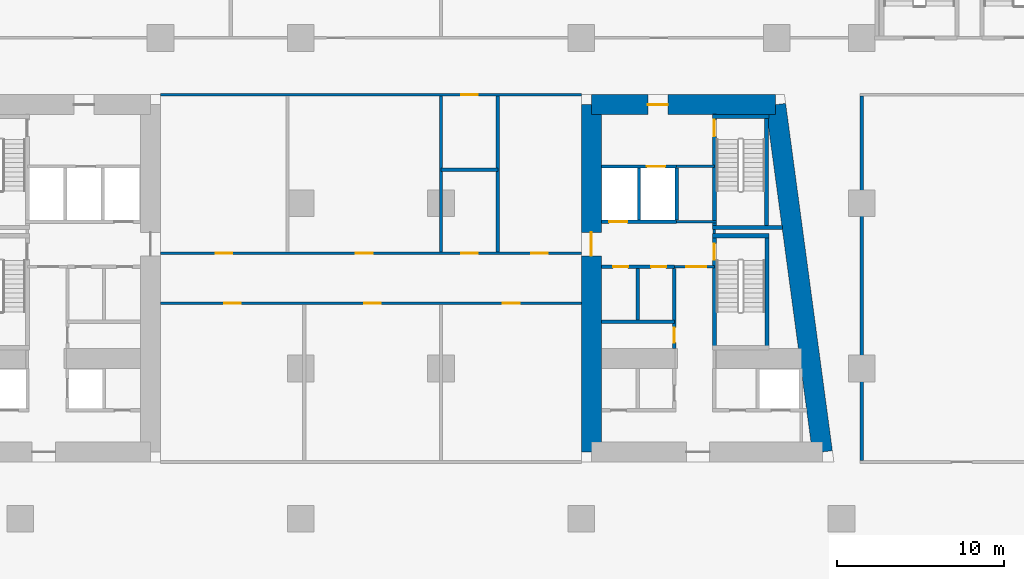
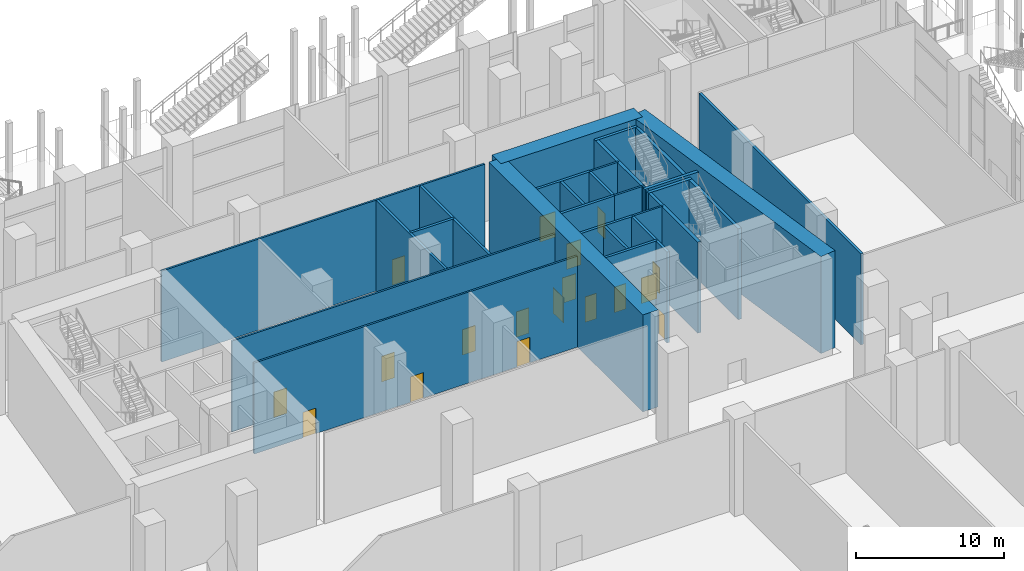
# One storey, part 29 of 52: 29 walls, 18 doors, 18 openings.
"""IFC4 building model written with IfcOpenShell, lengths in metres."""

from ifc_helpers import new_model, si_unit, direction, frame, frame_2d, origin, place, context, subcontext, project, spatial, rectangle, extrude, material, layer, layer_set, type_object, element, fill, save


model = new_model("IFC4")

# Units and contexts
model_context = context("Model", 3, precision=1e-05, world=origin(), true_north=direction((0.0, 1.0)))
body_context = subcontext(model_context, "Body", "Model", "MODEL_VIEW")
ifc_project = project(units=[si_unit("LENGTHUNIT", "METRE"), si_unit("AREAUNIT", "SQUARE_METRE"), si_unit("VOLUMEUNIT", "CUBIC_METRE"), si_unit("PLANEANGLEUNIT", "RADIAN"), si_unit("MASSUNIT", "GRAM", prefix="KILO")], contexts=[model_context])

# Site, building, storey
site_placement = place(None, origin())
site = spatial("IfcSite", under=ifc_project, at=site_placement, CompositionType="ELEMENT")
building_placement = place(site_placement, origin())
building = spatial("IfcBuilding", under=site, at=building_placement, Name="Candeia Pilgrim Tower and Theatre", CompositionType="ELEMENT")
storey_placement = place(building_placement, frame((0.0, 0.0, 9.0)))
storey = spatial("IfcBuildingStorey", under=building, at=storey_placement, Name="L01", CompositionType="ELEMENT", Elevation=9.0)

# Wall, opening, door
ifc_material_1 = material(Name="Concrete C80/95", Category="concrete")
ifc_layer_1 = layer(ifc_material_1, 1.199951171875)
ifc_layer_set_1 = layer_set([ifc_layer_1], Name="Core wall 1200 C80/95")
wall_type_1 = type_object("IfcWallType", Name="Core wall 1200 C80/95", PredefinedType="SHEAR", material=ifc_layer_set_1)
wall_1_placement = place(storey_placement, frame((126.60009765625, 131.800048828125, 0.0), z_axis=(0.0, 0.0, 1.0), x_axis=(1.0, 0.0, 0.0)))
wall_1 = element("IfcWall", 1, at=wall_1_placement, inside=storey, type_object=wall_type_1, Name="Core wall E1", PredefinedType="SHEAR", context=body_context, shape_type="SweptSolid", body=[
    extrude(rectangle(XDim=11.04443359375, YDim=1.199951171875, at=frame_2d((5.522216796875, 0.0))), origin(), (0.0, 0.0, 1.0), 8.0),
])
opening_1_placement = place(wall_1_placement, frame((3.386474609375, 0.0, 0.0)))
opening_1 = element("IfcOpeningElement", 2, at=opening_1_placement, cuts=wall_1, Name="Opening L01-D052", PredefinedType="OPENING", context=body_context, shape_type="SweptSolid", body=[
    extrude(rectangle(XDim=1.199951171875, YDim=2.10009765625, at=frame_2d((0.60009765625, 1.050048828125))), frame((0.0, 0.60986328125, 0.0), z_axis=(0.0, -1.0, 0.0), x_axis=(1.0, 0.0, 0.0)), (0.0, 0.0, 1.0), 1.219970703125),
])
ifc_material_2 = material(Name="Steel fire door set", Category="steel")
door_type_1 = type_object("IfcDoorType", Name="D-1200-FD60", OperationType="NOTDEFINED", PredefinedType="DOOR", material=ifc_material_2)
door_1_placement = place(opening_1_placement, origin())
door_1 = element("IfcDoor", 3, at=door_1_placement, inside=storey, type_object=door_type_1, Name="Door L01-D052", OperationType="SINGLE_SWING_LEFT", OverallHeight=2.10009765625, OverallWidth=1.199951171875, PredefinedType="DOOR", context=body_context, shape_type="SweptSolid", body=[
    extrude(rectangle(XDim=1.199951171875, YDim=2.10009765625, at=frame_2d((0.60009765625, 1.050048828125))), frame((0.0, 0.02490234375, 0.0), z_axis=(0.0, -1.0, 0.0), x_axis=(1.0, 0.0, 0.0)), (0.0, 0.0, 1.0), 0.050048828125),
])
fill(opening_1, door_1)

# Wall
wall_2_placement = place(storey_placement, frame((137.64453125, 131.800048828125, 0.0), z_axis=(0.0, 0.0, 1.0), x_axis=(0.133413989637, -0.99106039542, 0.0)))
element("IfcWall", 4, at=wall_2_placement, inside=storey, type_object=wall_type_1, Name="Core wall E2", PredefinedType="SHEAR", context=body_context, shape_type="SweptSolid", body=[
    extrude(rectangle(XDim=20.987548828125, YDim=1.199951171875, at=frame_2d((10.49365234375, 0.0))), origin(), (0.0, 0.0, 1.0), 8.0),
])

# Wall, opening, door
wall_3_placement = place(storey_placement, frame((126.60009765625, 111.0, 0.0), z_axis=(0.0, 0.0, 1.0), x_axis=(0.0, 1.0, 0.0)))
wall_3 = element("IfcWall", 5, at=wall_3_placement, inside=storey, type_object=wall_type_1, Name="Core wall E4", PredefinedType="SHEAR", context=body_context, shape_type="SweptSolid", body=[
    extrude(rectangle(XDim=20.800048828125, YDim=1.199951171875, at=frame_2d((10.39990234375, 0.0))), origin(), (0.0, 0.0, 1.0), 8.0),
])
opening_2_placement = place(wall_3_placement, frame((11.75, 0.0, 0.0)))
opening_2 = element("IfcOpeningElement", 6, at=opening_2_placement, cuts=wall_3, Name="Opening L01-D053", PredefinedType="OPENING", context=body_context, shape_type="SweptSolid", body=[
    extrude(rectangle(XDim=1.39990234375, YDim=2.10009765625, at=frame_2d((0.699951171875, 1.050048828125))), frame((0.0, 0.60986328125, 0.0), z_axis=(0.0, -1.0, 0.0), x_axis=(1.0, 0.0, 0.0)), (0.0, 0.0, 1.0), 1.219970703125),
])
door_type_2 = type_object("IfcDoorType", Name="D-1400-FD60", OperationType="NOTDEFINED", PredefinedType="DOOR", material=ifc_material_2)
door_2_placement = place(opening_2_placement, origin())
door_2 = element("IfcDoor", 7, at=door_2_placement, inside=storey, type_object=door_type_2, Name="Door L01-D053", OperationType="SINGLE_SWING_RIGHT", OverallHeight=2.10009765625, OverallWidth=1.39990234375, PredefinedType="DOOR", context=body_context, shape_type="SweptSolid", body=[
    extrude(rectangle(XDim=1.39990234375, YDim=2.10009765625, at=frame_2d((0.699951171875, 1.050048828125))), frame((0.0, 0.02490234375, 0.0), z_axis=(0.0, -1.0, 0.0), x_axis=(1.0, 0.0, 0.0)), (0.0, 0.0, 1.0), 0.050048828125),
])
fill(opening_2, door_2)

ifc_material_3 = material(Name="Gypsum board partition on steel studs", Category="steel")
ifc_layer_2 = layer(ifc_material_3, 0.14990234375)
ifc_layer_set_2 = layer_set([ifc_layer_2], Name="PW-150 lobby wall")
wall_type_2 = type_object("IfcWallType", Name="PW-150 lobby wall", PredefinedType="PARTITIONING", material=ifc_layer_set_2)
wall_4_placement = place(storey_placement, frame((131.572998046875, 122.10009765625, 0.0), z_axis=(0.0, 0.0, 1.0), x_axis=(1.0, 0.0, 0.0)))
wall_4 = element("IfcWall", 8, at=wall_4_placement, inside=storey, type_object=wall_type_2, Name="Lobby wall L01-017", PredefinedType="PARTITIONING", context=body_context, shape_type="SweptSolid", body=[
    extrude(rectangle(XDim=2.39990234375, YDim=0.14990234375, at=frame_2d((1.199951171875, 0.0))), origin(), (0.0, 0.0, 1.0), 7.5),
])
opening_3_placement = place(wall_4_placement, frame((0.72509765625, 0.0, 0.0)))
opening_3 = element("IfcOpeningElement", 9, at=opening_3_placement, cuts=wall_4, Name="Opening L01-D039", PredefinedType="OPENING", context=body_context, shape_type="SweptSolid", body=[
    extrude(rectangle(XDim=1.199951171875, YDim=2.10009765625, at=frame_2d((0.60009765625, 1.050048828125))), frame((0.0, 0.0849609375, 0.0), z_axis=(0.0, -1.0, 0.0), x_axis=(1.0, 0.0, 0.0)), (0.0, 0.0, 1.0), 0.169921875),
])
door_3_placement = place(opening_3_placement, origin())
door_3 = element("IfcDoor", 10, at=door_3_placement, inside=storey, type_object=door_type_1, Name="Door L01-D039", OperationType="SINGLE_SWING_LEFT", OverallHeight=2.10009765625, OverallWidth=1.199951171875, PredefinedType="DOOR", context=body_context, shape_type="SweptSolid", body=[
    extrude(rectangle(XDim=1.199951171875, YDim=2.10009765625, at=frame_2d((0.60009765625, 1.050048828125))), frame((0.0, 0.02490234375, 0.0), z_axis=(0.0, -1.0, 0.0), x_axis=(1.0, 0.0, 0.0)), (0.0, 0.0, 1.0), 0.050048828125),
])
fill(opening_3, door_3)

# Walls
wall_5_placement = place(storey_placement, frame((131.71533203125, 124.800048828125, 0.0), z_axis=(0.0, 0.0, 1.0), x_axis=(1.0, 0.0, 0.0)))
element("IfcWall", 11, at=wall_5_placement, inside=storey, type_object=wall_type_2, Name="Lobby wall L01-025", PredefinedType="PARTITIONING", context=body_context, shape_type="SweptSolid", body=[
    extrude(rectangle(XDim=2.382568359375, YDim=0.14990234375, at=frame_2d((1.19140625, 0.0))), origin(), (0.0, 0.0, 1.0), 7.5),
])
wall_6_placement = place(storey_placement, frame((131.71533203125, 128.10009765625, 0.0), z_axis=(0.0, 0.0, 1.0), x_axis=(1.0, 0.0, 0.0)))
element("IfcWall", 12, at=wall_6_placement, inside=storey, type_object=wall_type_2, Name="Lobby wall L01-029", PredefinedType="PARTITIONING", context=body_context, shape_type="SweptSolid", body=[
    extrude(rectangle(XDim=2.257568359375, YDim=0.14990234375, at=frame_2d((1.12890625, 0.0))), origin(), (0.0, 0.0, 1.0), 7.5),
])
wall_7_placement = place(storey_placement, frame((133.972900390625, 124.074951171875, 0.0), z_axis=(0.0, 0.0, 1.0), x_axis=(0.0, 1.0, 0.0)))
element("IfcWall", 13, at=wall_7_placement, inside=storey, type_object=wall_type_2, Name="Lobby wall L01-086", PredefinedType="PARTITIONING", context=body_context, shape_type="SweptSolid", body=[
    extrude(rectangle(XDim=0.25, YDim=0.14990234375, at=frame_2d((0.125, 0.0))), origin(), (0.0, 0.0, 1.0), 7.5),
])

# Wall, openings, doors
ifc_layer_3 = layer(ifc_material_3, 0.14990234375)
ifc_layer_set_3 = layer_set([ifc_layer_3], Name="PW-150 unit wall")
wall_type_3 = type_object("IfcWallType", Name="PW-150 unit wall", PredefinedType="PARTITIONING", material=ifc_layer_set_3)
wall_8_placement = place(storey_placement, frame((100.800048828125, 119.89990234375, 0.0), z_axis=(0.0, 0.0, 1.0), x_axis=(1.0, 0.0, 0.0)))
wall_8 = element("IfcWall", 14, at=wall_8_placement, inside=storey, type_object=wall_type_3, Name="Unit wall L01-013", PredefinedType="PARTITIONING", context=body_context, shape_type="SweptSolid", body=[
    extrude(rectangle(XDim=25.199951171875, YDim=0.14990234375, at=frame_2d((12.60009765625, 0.0))), origin(), (0.0, 0.0, 1.0), 7.5),
])
opening_4_placement = place(wall_8_placement, frame((3.800048828125, 0.0, 0.0)))
opening_4 = element("IfcOpeningElement", 15, at=opening_4_placement, cuts=wall_8, Name="Opening L01-D012", PredefinedType="OPENING", context=body_context, shape_type="SweptSolid", body=[
    extrude(rectangle(XDim=1.0, YDim=2.10009765625, at=frame_2d((0.5, 1.050048828125))), frame((0.0, 0.0849609375, 0.0), z_axis=(0.0, -1.0, 0.0), x_axis=(1.0, 0.0, 0.0)), (0.0, 0.0, 1.0), 0.169921875),
])
opening_5_placement = place(wall_8_placement, frame((12.199951171875, 0.0, 0.0)))
opening_5 = element("IfcOpeningElement", 16, at=opening_5_placement, cuts=wall_8, Name="Opening L01-D013", PredefinedType="OPENING", context=body_context, shape_type="SweptSolid", body=[
    extrude(rectangle(XDim=1.0, YDim=2.10009765625, at=frame_2d((0.5, 1.050048828125))), frame((0.0, 0.0849609375, 0.0), z_axis=(0.0, -1.0, 0.0), x_axis=(1.0, 0.0, 0.0)), (0.0, 0.0, 1.0), 0.169921875),
])
opening_6_placement = place(wall_8_placement, frame((20.5, 0.0, 0.0)))
opening_6 = element("IfcOpeningElement", 17, at=opening_6_placement, cuts=wall_8, Name="Opening L01-D014", PredefinedType="OPENING", context=body_context, shape_type="SweptSolid", body=[
    extrude(rectangle(XDim=1.0, YDim=2.10009765625, at=frame_2d((0.5, 1.050048828125))), frame((0.0, 0.0849609375, 0.0), z_axis=(0.0, -1.0, 0.0), x_axis=(1.0, 0.0, 0.0)), (0.0, 0.0, 1.0), 0.169921875),
])
door_type_3 = type_object("IfcDoorType", Name="D-1000-FD30S", OperationType="NOTDEFINED", PredefinedType="DOOR", material=ifc_material_2)
door_4_placement = place(opening_4_placement, origin())
door_4 = element("IfcDoor", 18, at=door_4_placement, inside=storey, type_object=door_type_3, Name="Door L01-D012", OperationType="SINGLE_SWING_LEFT", OverallHeight=2.10009765625, OverallWidth=1.0, PredefinedType="DOOR", context=body_context, shape_type="SweptSolid", body=[
    extrude(rectangle(XDim=1.0, YDim=2.10009765625, at=frame_2d((0.5, 1.050048828125))), frame((0.0, 0.02490234375, 0.0), z_axis=(0.0, -1.0, 0.0), x_axis=(1.0, 0.0, 0.0)), (0.0, 0.0, 1.0), 0.050048828125),
])
fill(opening_4, door_4)
door_5_placement = place(opening_5_placement, origin())
door_5 = element("IfcDoor", 19, at=door_5_placement, inside=storey, type_object=door_type_3, Name="Door L01-D013", OperationType="SINGLE_SWING_RIGHT", OverallHeight=2.10009765625, OverallWidth=1.0, PredefinedType="DOOR", context=body_context, shape_type="SweptSolid", body=[
    extrude(rectangle(XDim=1.0, YDim=2.10009765625, at=frame_2d((0.5, 1.050048828125))), frame((0.0, 0.02490234375, 0.0), z_axis=(0.0, -1.0, 0.0), x_axis=(1.0, 0.0, 0.0)), (0.0, 0.0, 1.0), 0.050048828125),
])
fill(opening_5, door_5)
door_6_placement = place(opening_6_placement, origin())
door_6 = element("IfcDoor", 20, at=door_6_placement, inside=storey, type_object=door_type_3, Name="Door L01-D014", OperationType="SINGLE_SWING_LEFT", OverallHeight=2.10009765625, OverallWidth=1.0, PredefinedType="DOOR", context=body_context, shape_type="SweptSolid", body=[
    extrude(rectangle(XDim=1.0, YDim=2.10009765625, at=frame_2d((0.5, 1.050048828125))), frame((0.0, 0.02490234375, 0.0), z_axis=(0.0, -1.0, 0.0), x_axis=(1.0, 0.0, 0.0)), (0.0, 0.0, 1.0), 0.050048828125),
])
fill(opening_6, door_6)

wall_9_placement = place(storey_placement, frame((100.800048828125, 122.89990234375, 0.0), z_axis=(0.0, 0.0, 1.0), x_axis=(1.0, 0.0, 0.0)))
wall_9 = element("IfcWall", 21, at=wall_9_placement, inside=storey, type_object=wall_type_3, Name="Unit wall L01-018", PredefinedType="PARTITIONING", context=body_context, shape_type="SweptSolid", body=[
    extrude(rectangle(XDim=25.199951171875, YDim=0.14990234375, at=frame_2d((12.60009765625, 0.0))), origin(), (0.0, 0.0, 1.0), 7.5),
])
opening_7_placement = place(wall_9_placement, frame((3.300048828125, 0.0, 0.0)))
opening_7 = element("IfcOpeningElement", 22, at=opening_7_placement, cuts=wall_9, Name="Opening L01-D015", PredefinedType="OPENING", context=body_context, shape_type="SweptSolid", body=[
    extrude(rectangle(XDim=1.0, YDim=2.10009765625, at=frame_2d((0.5, 1.050048828125))), frame((0.0, 0.0849609375, 0.0), z_axis=(0.0, -1.0, 0.0), x_axis=(1.0, 0.0, 0.0)), (0.0, 0.0, 1.0), 0.169921875),
])
opening_8_placement = place(wall_9_placement, frame((11.699951171875, 0.0, 0.0)))
opening_8 = element("IfcOpeningElement", 23, at=opening_8_placement, cuts=wall_9, Name="Opening L01-D016", PredefinedType="OPENING", context=body_context, shape_type="SweptSolid", body=[
    extrude(rectangle(XDim=1.0, YDim=2.10009765625, at=frame_2d((0.5, 1.050048828125))), frame((0.0, 0.0849609375, 0.0), z_axis=(0.0, -1.0, 0.0), x_axis=(1.0, 0.0, 0.0)), (0.0, 0.0, 1.0), 0.169921875),
])
opening_9_placement = place(wall_9_placement, frame((18.0, 0.0, 0.0)))
opening_9 = element("IfcOpeningElement", 24, at=opening_9_placement, cuts=wall_9, Name="Opening L01-D017", PredefinedType="OPENING", context=body_context, shape_type="SweptSolid", body=[
    extrude(rectangle(XDim=1.0, YDim=2.10009765625, at=frame_2d((0.5, 1.050048828125))), frame((0.0, 0.0849609375, 0.0), z_axis=(0.0, -1.0, 0.0), x_axis=(1.0, 0.0, 0.0)), (0.0, 0.0, 1.0), 0.169921875),
])
opening_10_placement = place(wall_9_placement, frame((22.199951171875, 0.0, 0.0)))
opening_10 = element("IfcOpeningElement", 25, at=opening_10_placement, cuts=wall_9, Name="Opening L01-D018", PredefinedType="OPENING", context=body_context, shape_type="SweptSolid", body=[
    extrude(rectangle(XDim=1.0, YDim=2.10009765625, at=frame_2d((0.5, 1.050048828125))), frame((0.0, 0.0849609375, 0.0), z_axis=(0.0, -1.0, 0.0), x_axis=(1.0, 0.0, 0.0)), (0.0, 0.0, 1.0), 0.169921875),
])
door_7_placement = place(opening_7_placement, origin())
door_7 = element("IfcDoor", 26, at=door_7_placement, inside=storey, type_object=door_type_3, Name="Door L01-D015", OperationType="SINGLE_SWING_RIGHT", OverallHeight=2.10009765625, OverallWidth=1.0, PredefinedType="DOOR", context=body_context, shape_type="SweptSolid", body=[
    extrude(rectangle(XDim=1.0, YDim=2.10009765625, at=frame_2d((0.5, 1.050048828125))), frame((0.0, 0.02490234375, 0.0), z_axis=(0.0, -1.0, 0.0), x_axis=(1.0, 0.0, 0.0)), (0.0, 0.0, 1.0), 0.050048828125),
])
fill(opening_7, door_7)
door_8_placement = place(opening_8_placement, origin())
door_8 = element("IfcDoor", 27, at=door_8_placement, inside=storey, type_object=door_type_3, Name="Door L01-D016", OperationType="SINGLE_SWING_LEFT", OverallHeight=2.10009765625, OverallWidth=1.0, PredefinedType="DOOR", context=body_context, shape_type="SweptSolid", body=[
    extrude(rectangle(XDim=1.0, YDim=2.10009765625, at=frame_2d((0.5, 1.050048828125))), frame((0.0, 0.02490234375, 0.0), z_axis=(0.0, -1.0, 0.0), x_axis=(1.0, 0.0, 0.0)), (0.0, 0.0, 1.0), 0.050048828125),
])
fill(opening_8, door_8)
door_9_placement = place(opening_9_placement, origin())
door_9 = element("IfcDoor", 28, at=door_9_placement, inside=storey, type_object=door_type_3, Name="Door L01-D017", OperationType="SINGLE_SWING_RIGHT", OverallHeight=2.10009765625, OverallWidth=1.0, PredefinedType="DOOR", context=body_context, shape_type="SweptSolid", body=[
    extrude(rectangle(XDim=1.0, YDim=2.10009765625, at=frame_2d((0.5, 1.050048828125))), frame((0.0, 0.02490234375, 0.0), z_axis=(0.0, -1.0, 0.0), x_axis=(1.0, 0.0, 0.0)), (0.0, 0.0, 1.0), 0.050048828125),
])
fill(opening_9, door_9)
door_10_placement = place(opening_10_placement, origin())
door_10 = element("IfcDoor", 29, at=door_10_placement, inside=storey, type_object=door_type_3, Name="Door L01-D018", OperationType="SINGLE_SWING_LEFT", OverallHeight=2.10009765625, OverallWidth=1.0, PredefinedType="DOOR", context=body_context, shape_type="SweptSolid", body=[
    extrude(rectangle(XDim=1.0, YDim=2.10009765625, at=frame_2d((0.5, 1.050048828125))), frame((0.0, 0.02490234375, 0.0), z_axis=(0.0, -1.0, 0.0), x_axis=(1.0, 0.0, 0.0)), (0.0, 0.0, 1.0), 0.050048828125),
])
fill(opening_10, door_10)

# Wall, opening, door
wall_10_placement = place(storey_placement, frame((100.800048828125, 132.39990234375, 0.0), z_axis=(0.0, 0.0, 1.0), x_axis=(1.0, 0.0, 0.0)))
wall_10 = element("IfcWall", 30, at=wall_10_placement, inside=storey, type_object=wall_type_3, Name="Unit wall L01-033", PredefinedType="PARTITIONING", context=body_context, shape_type="SweptSolid", body=[
    extrude(rectangle(XDim=25.199951171875, YDim=0.14990234375, at=frame_2d((12.60009765625, 0.0))), origin(), (0.0, 0.0, 1.0), 7.5),
])
opening_11_placement = place(wall_10_placement, frame((18.0, 0.0, 0.0)))
opening_11 = element("IfcOpeningElement", 31, at=opening_11_placement, cuts=wall_10, Name="Opening L01-D019", PredefinedType="OPENING", context=body_context, shape_type="SweptSolid", body=[
    extrude(rectangle(XDim=1.0, YDim=2.10009765625, at=frame_2d((0.5, 1.050048828125))), frame((0.0, 0.0849609375, 0.0), z_axis=(0.0, -1.0, 0.0), x_axis=(1.0, 0.0, 0.0)), (0.0, 0.0, 1.0), 0.169921875),
])
door_11_placement = place(opening_11_placement, origin())
door_11 = element("IfcDoor", 32, at=door_11_placement, inside=storey, type_object=door_type_3, Name="Door L01-D019", OperationType="SINGLE_SWING_RIGHT", OverallHeight=2.10009765625, OverallWidth=1.0, PredefinedType="DOOR", context=body_context, shape_type="SweptSolid", body=[
    extrude(rectangle(XDim=1.0, YDim=2.10009765625, at=frame_2d((0.5, 1.050048828125))), frame((0.0, 0.02490234375, 0.0), z_axis=(0.0, -1.0, 0.0), x_axis=(1.0, 0.0, 0.0)), (0.0, 0.0, 1.0), 0.050048828125),
])
fill(opening_11, door_11)

# Walls
ifc_layer_4 = layer(ifc_material_3, 0.199951171875)
ifc_layer_set_4 = layer_set([ifc_layer_4], Name="PW-200 party wall")
wall_type_4 = type_object("IfcWallType", Name="PW-200 party wall", PredefinedType="PARTITIONING", material=ifc_layer_set_4)
wall_11_placement = place(storey_placement, frame((117.60009765625, 127.89990234375, 0.0), z_axis=(0.0, 0.0, 1.0), x_axis=(1.0, 0.0, 0.0)))
element("IfcWall", 33, at=wall_11_placement, inside=storey, type_object=wall_type_4, Name="Party wall L01-026", PredefinedType="PARTITIONING", context=body_context, shape_type="SweptSolid", body=[
    extrude(rectangle(XDim=3.39990234375, YDim=0.199951171875, at=frame_2d((1.699951171875, 0.0))), origin(), (0.0, 0.0, 1.0), 7.5),
])
for number, where, z_axis, x_axis, name in (
    (34, (117.60009765625, 122.97509765625, 0.0), (0.0, 0.0, 1.0), (0.0, 1.0, 0.0), "Party wall L01-073"),
    (35, (121.0, 122.97509765625, 0.0), (0.0, 0.0, 1.0), (0.0, 1.0, 0.0), "Party wall L01-075"),
):
    element("IfcWall", number, at=place(storey_placement, frame(where, z_axis=z_axis, x_axis=x_axis)), inside=storey, type_object=wall_type_4, Name=name, PredefinedType="PARTITIONING", context=body_context, shape_type="SweptSolid", body=[
        extrude(rectangle(XDim=9.349853515625, YDim=0.199951171875, at=frame_2d((4.6748046875, 0.0))), origin(), (0.0, 0.0, 1.0), 7.5),
    ])
wall_12_placement = place(storey_placement, frame((142.800048828125, 110.47509765625, 0.0), z_axis=(0.0, 0.0, 1.0), x_axis=(0.0, 1.0, 0.0)))
element("IfcWall", 36, at=wall_12_placement, inside=storey, type_object=wall_type_4, Name="Party wall L01-096", PredefinedType="PARTITIONING", context=body_context, shape_type="SweptSolid", body=[
    extrude(rectangle(XDim=21.849853515625, YDim=0.199951171875, at=frame_2d((10.9248046875, 0.0))), origin(), (0.0, 0.0, 1.0), 7.5),
])
ifc_material_4 = material(Name="Concrete C40/50", Category="concrete")
ifc_layer_5 = layer(ifc_material_4, 0.199951171875)
ifc_layer_set_5 = layer_set([ifc_layer_5], Name="SW-200 shaft wall")
wall_type_5 = type_object("IfcWallType", Name="SW-200 shaft wall", PredefinedType="PARTITIONING", material=ifc_layer_set_5)
wall_13_placement = place(storey_placement, frame((127.199951171875, 118.800048828125, 0.0), z_axis=(0.0, 0.0, 1.0), x_axis=(1.0, 0.0, 0.0)))
element("IfcWall", 37, at=wall_13_placement, inside=storey, type_object=wall_type_5, Name="Shaft wall L01-012", PredefinedType="PARTITIONING", context=body_context, shape_type="SweptSolid", body=[
    extrude(rectangle(XDim=4.373046875, YDim=0.199951171875, at=frame_2d((2.1865234375, 0.0))), origin(), (0.0, 0.0, 1.0), 7.5),
])

# Wall, openings, doors
wall_14_placement = place(storey_placement, frame((127.199951171875, 122.10009765625, 0.0), z_axis=(0.0, 0.0, 1.0), x_axis=(1.0, 0.0, 0.0)))
wall_14 = element("IfcWall", 38, at=wall_14_placement, inside=storey, type_object=wall_type_5, Name="Shaft wall L01-015", PredefinedType="PARTITIONING", context=body_context, shape_type="SweptSolid", body=[
    extrude(rectangle(XDim=4.373046875, YDim=0.199951171875, at=frame_2d((2.1865234375, 0.0))), origin(), (0.0, 0.0, 1.0), 7.5),
])
opening_12_placement = place(wall_14_placement, frame((2.97607421875, 0.0, 0.0)))
opening_12 = element("IfcOpeningElement", 39, at=opening_12_placement, cuts=wall_14, Name="Opening L01-D040", PredefinedType="OPENING", context=body_context, shape_type="SweptSolid", body=[
    extrude(rectangle(XDim=0.89990234375, YDim=2.10009765625, at=frame_2d((0.449951171875, 1.050048828125))), frame((0.0, 0.10986328125, 0.0), z_axis=(0.0, -1.0, 0.0), x_axis=(1.0, 0.0, 0.0)), (0.0, 0.0, 1.0), 0.219970703125),
])
opening_13_placement = place(wall_14_placement, frame((0.701904296875, 0.0, 0.0)))
opening_13 = element("IfcOpeningElement", 40, at=opening_13_placement, cuts=wall_14, Name="Opening L01-D041", PredefinedType="OPENING", context=body_context, shape_type="SweptSolid", body=[
    extrude(rectangle(XDim=0.89990234375, YDim=2.10009765625, at=frame_2d((0.449951171875, 1.050048828125))), frame((0.0, 0.10986328125, 0.0), z_axis=(0.0, -1.0, 0.0), x_axis=(1.0, 0.0, 0.0)), (0.0, 0.0, 1.0), 0.219970703125),
])
door_type_4 = type_object("IfcDoorType", Name="D-900-FD60", OperationType="NOTDEFINED", PredefinedType="DOOR", material=ifc_material_2)
door_12_placement = place(opening_12_placement, origin())
door_12 = element("IfcDoor", 41, at=door_12_placement, inside=storey, type_object=door_type_4, Name="Door L01-D040", OperationType="SINGLE_SWING_RIGHT", OverallHeight=2.10009765625, OverallWidth=0.89990234375, PredefinedType="DOOR", context=body_context, shape_type="SweptSolid", body=[
    extrude(rectangle(XDim=0.89990234375, YDim=2.10009765625, at=frame_2d((0.449951171875, 1.050048828125))), frame((0.0, 0.02490234375, 0.0), z_axis=(0.0, -1.0, 0.0), x_axis=(1.0, 0.0, 0.0)), (0.0, 0.0, 1.0), 0.050048828125),
])
fill(opening_12, door_12)
door_13_placement = place(opening_13_placement, origin())
door_13 = element("IfcDoor", 42, at=door_13_placement, inside=storey, type_object=door_type_4, Name="Door L01-D041", OperationType="SINGLE_SWING_LEFT", OverallHeight=2.10009765625, OverallWidth=0.89990234375, PredefinedType="DOOR", context=body_context, shape_type="SweptSolid", body=[
    extrude(rectangle(XDim=0.89990234375, YDim=2.10009765625, at=frame_2d((0.449951171875, 1.050048828125))), frame((0.0, 0.02490234375, 0.0), z_axis=(0.0, -1.0, 0.0), x_axis=(1.0, 0.0, 0.0)), (0.0, 0.0, 1.0), 0.050048828125),
])
fill(opening_13, door_13)

# Wall, opening, door
wall_15_placement = place(storey_placement, frame((127.199951171875, 124.800048828125, 0.0), z_axis=(0.0, 0.0, 1.0), x_axis=(1.0, 0.0, 0.0)))
wall_15 = element("IfcWall", 43, at=wall_15_placement, inside=storey, type_object=wall_type_5, Name="Shaft wall L01-024", PredefinedType="PARTITIONING", context=body_context, shape_type="SweptSolid", body=[
    extrude(rectangle(XDim=4.515380859375, YDim=0.199951171875, at=frame_2d((2.2578125, 0.0))), origin(), (0.0, 0.0, 1.0), 7.5),
])
opening_14_placement = place(wall_15_placement, frame((0.464111328125, 0.0, 0.0)))
opening_14 = element("IfcOpeningElement", 44, at=opening_14_placement, cuts=wall_15, Name="Opening L01-LD07", PredefinedType="OPENING", context=body_context, shape_type="SweptSolid", body=[
    extrude(rectangle(XDim=1.10009765625, YDim=2.10009765625, at=frame_2d((0.550048828125, 1.050048828125))), frame((0.0, 0.10986328125, 0.0), z_axis=(0.0, -1.0, 0.0), x_axis=(1.0, 0.0, 0.0)), (0.0, 0.0, 1.0), 0.219970703125),
])
ifc_material_5 = material(Name="Glazed aluminium landing door", Category="aluminium")
door_type_5 = type_object("IfcDoorType", Name="LD-1100-EI120", OperationType="SLIDING_TO_LEFT", PredefinedType="DOOR", material=ifc_material_5)
door_14_placement = place(opening_14_placement, origin())
door_14 = element("IfcDoor", 45, at=door_14_placement, inside=storey, type_object=door_type_5, Name="Landing door 07 L01", OperationType="SLIDING_TO_LEFT", OverallHeight=2.10009765625, OverallWidth=1.10009765625, PredefinedType="DOOR", context=body_context, shape_type="SweptSolid", body=[
    extrude(rectangle(XDim=1.10009765625, YDim=2.10009765625, at=frame_2d((0.550048828125, 1.050048828125))), frame((0.0, 0.02490234375, 0.0), z_axis=(0.0, -1.0, 0.0), x_axis=(1.0, 0.0, 0.0)), (0.0, 0.0, 1.0), 0.050048828125),
])
fill(opening_14, door_14)

wall_16_placement = place(storey_placement, frame((127.199951171875, 128.10009765625, 0.0), z_axis=(0.0, 0.0, 1.0), x_axis=(1.0, 0.0, 0.0)))
wall_16 = element("IfcWall", 46, at=wall_16_placement, inside=storey, type_object=wall_type_5, Name="Shaft wall L01-028", PredefinedType="PARTITIONING", context=body_context, shape_type="SweptSolid", body=[
    extrude(rectangle(XDim=4.515380859375, YDim=0.199951171875, at=frame_2d((2.2578125, 0.0))), origin(), (0.0, 0.0, 1.0), 7.5),
])
opening_15_placement = place(wall_16_placement, frame((2.721923828125, 0.0, 0.0)))
opening_15 = element("IfcOpeningElement", 47, at=opening_15_placement, cuts=wall_16, Name="Opening L01-LD06", PredefinedType="OPENING", context=body_context, shape_type="SweptSolid", body=[
    extrude(rectangle(XDim=1.10009765625, YDim=2.10009765625, at=frame_2d((0.550048828125, 1.050048828125))), frame((0.0, 0.10986328125, 0.0), z_axis=(0.0, -1.0, 0.0), x_axis=(1.0, 0.0, 0.0)), (0.0, 0.0, 1.0), 0.219970703125),
])
door_15_placement = place(opening_15_placement, origin())
door_15 = element("IfcDoor", 48, at=door_15_placement, inside=storey, type_object=door_type_5, Name="Landing door 06 L01", OperationType="SLIDING_TO_LEFT", OverallHeight=2.10009765625, OverallWidth=1.10009765625, PredefinedType="DOOR", context=body_context, shape_type="SweptSolid", body=[
    extrude(rectangle(XDim=1.10009765625, YDim=2.10009765625, at=frame_2d((0.550048828125, 1.050048828125))), frame((0.0, 0.02490234375, 0.0), z_axis=(0.0, -1.0, 0.0), x_axis=(1.0, 0.0, 0.0)), (0.0, 0.0, 1.0), 0.050048828125),
])
fill(opening_15, door_15)

# Walls
for number, where, z_axis, x_axis, name in (
    (49, (129.386474609375, 118.89990234375, 0.0), (0.0, 0.0, 1.0), (0.0, 1.0, 0.0), "Shaft wall L01-078"),
    (50, (129.457763671875, 124.89990234375, 0.0), (0.0, 0.0, 1.0), (0.0, 1.0, 0.0), "Shaft wall L01-079"),
):
    element("IfcWall", number, at=place(storey_placement, frame(where, z_axis=z_axis, x_axis=x_axis)), inside=storey, type_object=wall_type_5, Name=name, PredefinedType="PARTITIONING", context=body_context, shape_type="SweptSolid", body=[
        extrude(rectangle(XDim=3.10009765625, YDim=0.199951171875, at=frame_2d((1.550048828125, 0.0))), origin(), (0.0, 0.0, 1.0), 7.5),
    ])

# Wall, opening, door
wall_17_placement = place(storey_placement, frame((131.572998046875, 117.199951171875, 0.0), z_axis=(0.0, 0.0, 1.0), x_axis=(0.0, 1.0, 0.0)))
wall_17 = element("IfcWall", 51, at=wall_17_placement, inside=storey, type_object=wall_type_5, Name="Shaft wall L01-081", PredefinedType="PARTITIONING", context=body_context, shape_type="SweptSolid", body=[
    extrude(rectangle(XDim=4.800048828125, YDim=0.199951171875, at=frame_2d((2.39990234375, 0.0))), origin(), (0.0, 0.0, 1.0), 7.5),
])
opening_16_placement = place(wall_17_placement, frame((0.35009765625, 0.0, 0.0)))
opening_16 = element("IfcOpeningElement", 52, at=opening_16_placement, cuts=wall_17, Name="Opening L01-D044", PredefinedType="OPENING", context=body_context, shape_type="SweptSolid", body=[
    extrude(rectangle(XDim=0.89990234375, YDim=2.10009765625, at=frame_2d((0.449951171875, 1.050048828125))), frame((0.0, 0.10986328125, 0.0), z_axis=(0.0, -1.0, 0.0), x_axis=(1.0, 0.0, 0.0)), (0.0, 0.0, 1.0), 0.219970703125),
])
door_16_placement = place(opening_16_placement, origin())
door_16 = element("IfcDoor", 53, at=door_16_placement, inside=storey, type_object=door_type_4, Name="Door L01-D044", OperationType="SINGLE_SWING_RIGHT", OverallHeight=2.10009765625, OverallWidth=0.89990234375, PredefinedType="DOOR", context=body_context, shape_type="SweptSolid", body=[
    extrude(rectangle(XDim=0.89990234375, YDim=2.10009765625, at=frame_2d((0.449951171875, 1.050048828125))), frame((0.0, 0.02490234375, 0.0), z_axis=(0.0, -1.0, 0.0), x_axis=(1.0, 0.0, 0.0)), (0.0, 0.0, 1.0), 0.050048828125),
])
fill(opening_16, door_16)

# Walls
wall_18_placement = place(storey_placement, frame((131.71533203125, 124.89990234375, 0.0), z_axis=(0.0, 0.0, 1.0), x_axis=(0.0, 1.0, 0.0)))
element("IfcWall", 54, at=wall_18_placement, inside=storey, type_object=wall_type_5, Name="Shaft wall L01-083", PredefinedType="PARTITIONING", context=body_context, shape_type="SweptSolid", body=[
    extrude(rectangle(XDim=3.10009765625, YDim=0.199951171875, at=frame_2d((1.550048828125, 0.0))), origin(), (0.0, 0.0, 1.0), 7.5),
])
ifc_layer_6 = layer(ifc_material_4, 0.25)
ifc_layer_set_6 = layer_set([ifc_layer_6], Name="SW-250 stair wall")
wall_type_6 = type_object("IfcWallType", Name="SW-250 stair wall", PredefinedType="PARTITIONING", material=ifc_layer_set_6)
wall_19_placement = place(storey_placement, frame((133.847900390625, 123.949951171875, 0.0), z_axis=(0.0, 0.0, 1.0), x_axis=(1.0, 0.0, 0.0)))
element("IfcWall", 55, at=wall_19_placement, inside=storey, type_object=wall_type_6, Name="Stair wall L01-020", PredefinedType="PARTITIONING", context=body_context, shape_type="SweptSolid", body=[
    extrude(rectangle(XDim=3.400146484375, YDim=0.25, at=frame_2d((1.7001953125, 0.0))), origin(), (0.0, 0.0, 1.0), 7.5),
])
wall_20_placement = place(storey_placement, frame((133.847900390625, 124.449951171875, 0.0), z_axis=(0.0, 0.0, 1.0), x_axis=(1.0, 0.0, 0.0)))
element("IfcWall", 56, at=wall_20_placement, inside=storey, type_object=wall_type_6, Name="Stair wall L01-022", PredefinedType="PARTITIONING", context=body_context, shape_type="SweptSolid", body=[
    extrude(rectangle(XDim=4.210693359375, YDim=0.25, at=frame_2d((2.10546875, 0.0))), origin(), (0.0, 0.0, 1.0), 7.5),
])
wall_21_placement = place(storey_placement, frame((133.847900390625, 131.10107421875, 0.0), z_axis=(0.0, 0.0, 1.0), x_axis=(1.0, 0.0, 0.0)))
element("IfcWall", 57, at=wall_21_placement, inside=storey, type_object=wall_type_6, Name="Stair wall L01-031", PredefinedType="PARTITIONING", context=body_context, shape_type="SweptSolid", body=[
    extrude(rectangle(XDim=3.400146484375, YDim=0.25, at=frame_2d((1.7001953125, 0.0))), origin(), (0.0, 0.0, 1.0), 7.5),
])

# Wall, opening, door
wall_22_placement = place(storey_placement, frame((133.972900390625, 117.169921875, 0.0), z_axis=(0.0, 0.0, 1.0), x_axis=(0.0, 1.0, 0.0)))
wall_22 = element("IfcWall", 58, at=wall_22_placement, inside=storey, type_object=wall_type_6, Name="Stair wall L01-087", PredefinedType="PARTITIONING", context=body_context, shape_type="SweptSolid", body=[
    extrude(rectangle(XDim=6.655029296875, YDim=0.25, at=frame_2d((3.32763671875, 0.0))), origin(), (0.0, 0.0, 1.0), 7.5),
])
opening_17_placement = place(wall_22_placement, frame((5.35498046875, 0.0, 0.0)))
opening_17 = element("IfcOpeningElement", 59, at=opening_17_placement, cuts=wall_22, Name="Opening L01-D042", PredefinedType="OPENING", context=body_context, shape_type="SweptSolid", body=[
    extrude(rectangle(XDim=0.949951171875, YDim=2.10009765625, at=frame_2d((0.47509765625, 1.050048828125))), frame((0.0, 0.135009765625, 0.0), z_axis=(0.0, -1.0, 0.0), x_axis=(1.0, 0.0, 0.0)), (0.0, 0.0, 1.0), 0.27001953125),
])
door_type_6 = type_object("IfcDoorType", Name="D-950-FD60", OperationType="NOTDEFINED", PredefinedType="DOOR", material=ifc_material_2)
door_17_placement = place(opening_17_placement, origin())
door_17 = element("IfcDoor", 60, at=door_17_placement, inside=storey, type_object=door_type_6, Name="Door L01-D042", OperationType="SINGLE_SWING_RIGHT", OverallHeight=2.10009765625, OverallWidth=0.949951171875, PredefinedType="DOOR", context=body_context, shape_type="SweptSolid", body=[
    extrude(rectangle(XDim=0.949951171875, YDim=2.10009765625, at=frame_2d((0.47509765625, 1.050048828125))), frame((0.0, 0.02490234375, 0.0), z_axis=(0.0, -1.0, 0.0), x_axis=(1.0, 0.0, 0.0)), (0.0, 0.0, 1.0), 0.050048828125),
])
fill(opening_17, door_17)

wall_23_placement = place(storey_placement, frame((133.972900390625, 124.574951171875, 0.0), z_axis=(0.0, 0.0, 1.0), x_axis=(0.0, 1.0, 0.0)))
wall_23 = element("IfcWall", 61, at=wall_23_placement, inside=storey, type_object=wall_type_6, Name="Stair wall L01-088", PredefinedType="PARTITIONING", context=body_context, shape_type="SweptSolid", body=[
    extrude(rectangle(XDim=6.655029296875, YDim=0.25, at=frame_2d((3.32763671875, 0.0))), origin(), (0.0, 0.0, 1.0), 7.5),
])
opening_18_placement = place(wall_23_placement, frame((5.324951171875, 0.0, 0.0)))
opening_18 = element("IfcOpeningElement", 62, at=opening_18_placement, cuts=wall_23, Name="Opening L01-D043", PredefinedType="OPENING", context=body_context, shape_type="SweptSolid", body=[
    extrude(rectangle(XDim=1.0, YDim=2.10009765625, at=frame_2d((0.5, 1.050048828125))), frame((0.0, 0.135009765625, 0.0), z_axis=(0.0, -1.0, 0.0), x_axis=(1.0, 0.0, 0.0)), (0.0, 0.0, 1.0), 0.27001953125),
])
door_type_7 = type_object("IfcDoorType", Name="D-1000-FD60", OperationType="NOTDEFINED", PredefinedType="DOOR", material=ifc_material_2)
door_18_placement = place(opening_18_placement, origin())
door_18 = element("IfcDoor", 63, at=door_18_placement, inside=storey, type_object=door_type_7, Name="Door L01-D043", OperationType="SINGLE_SWING_LEFT", OverallHeight=2.10009765625, OverallWidth=1.0, PredefinedType="DOOR", context=body_context, shape_type="SweptSolid", body=[
    extrude(rectangle(XDim=1.0, YDim=2.10009765625, at=frame_2d((0.5, 1.050048828125))), frame((0.0, 0.02490234375, 0.0), z_axis=(0.0, -1.0, 0.0), x_axis=(1.0, 0.0, 0.0)), (0.0, 0.0, 1.0), 0.050048828125),
])
fill(opening_18, door_18)

# Walls
wall_24_placement = place(storey_placement, frame((137.123046875, 117.169921875, 0.0), z_axis=(0.0, 0.0, 1.0), x_axis=(0.0, 1.0, 0.0)))
element("IfcWall", 64, at=wall_24_placement, inside=storey, type_object=wall_type_6, Name="Stair wall L01-091", PredefinedType="PARTITIONING", context=body_context, shape_type="SweptSolid", body=[
    extrude(rectangle(XDim=6.655029296875, YDim=0.25, at=frame_2d((3.32763671875, 0.0))), origin(), (0.0, 0.0, 1.0), 7.5),
])
wall_25_placement = place(storey_placement, frame((137.0927734375, 124.574951171875, 0.0), z_axis=(0.0, 0.0, 1.0), x_axis=(0.0, 1.0, 0.0)))
element("IfcWall", 65, at=wall_25_placement, inside=storey, type_object=wall_type_6, Name="Stair wall L01-092", PredefinedType="PARTITIONING", context=body_context, shape_type="SweptSolid", body=[
    extrude(rectangle(XDim=6.5, YDim=0.25, at=frame_2d((3.25, 0.0))), origin(), (0.0, 0.0, 1.0), 7.5),
])

save(model, "model.ifc")
